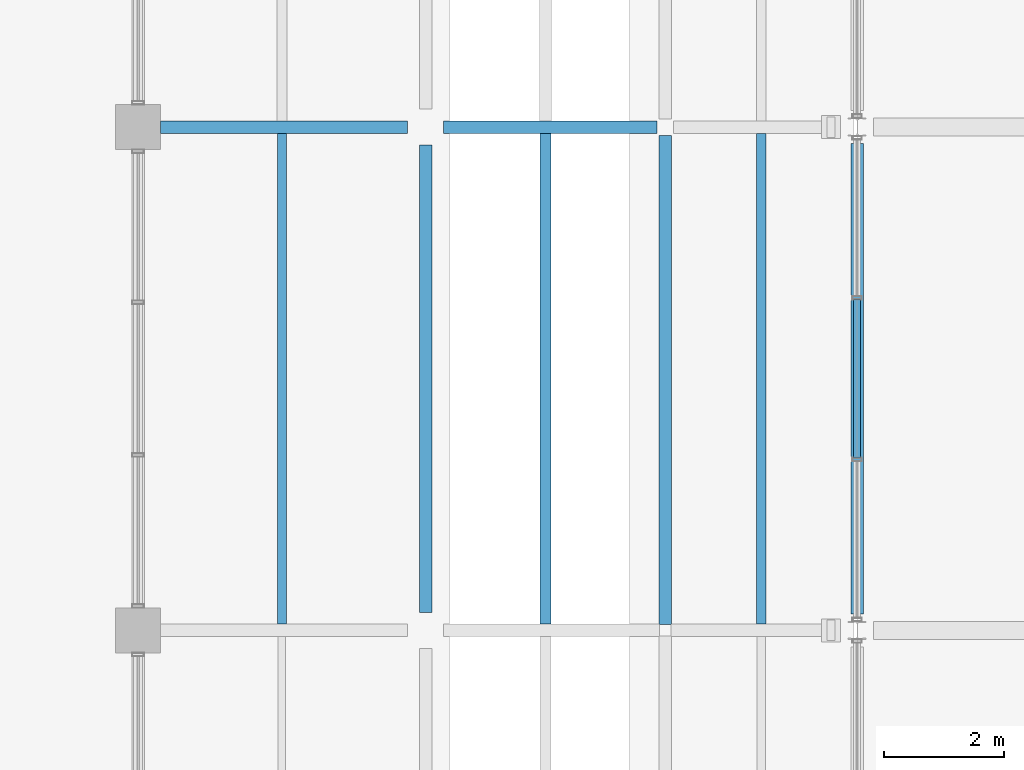
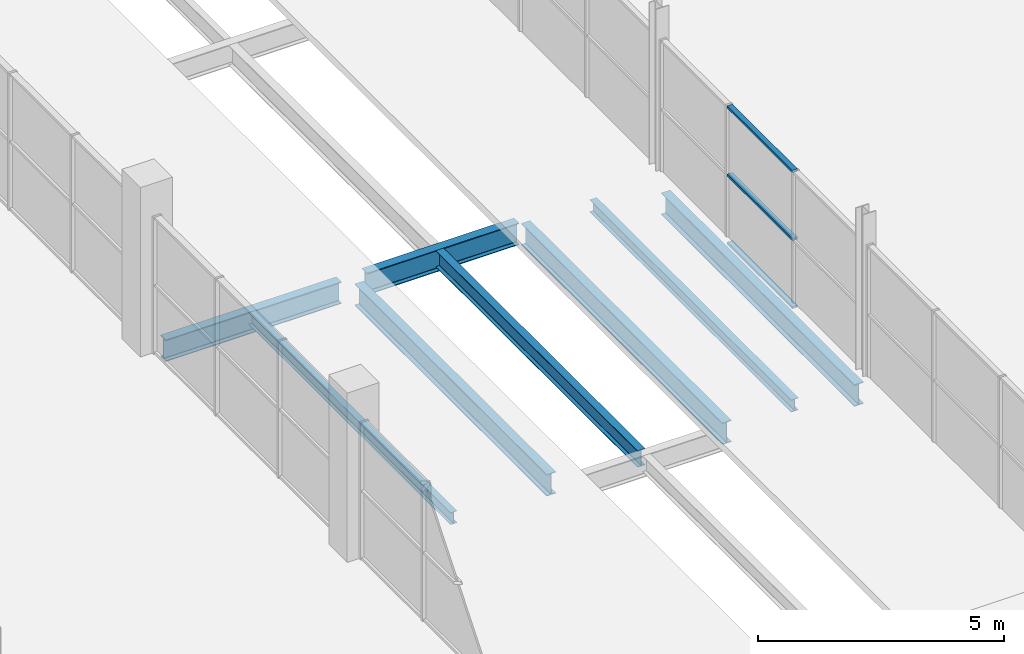
# One storey, part 110 of 161: 8 beams, 3 members, 1 element without a shape of its own.
"""IFC4 building model written with IfcOpenShell, lengths in metres."""

from ifc_helpers import new_model, si_unit, direction, frame, origin, origin_2d, place, context, subcontext, project, spatial, hollow_rectangle, i_section, extrude, material, material_profile, profile_set, type_object, element, aggregate, save


model = new_model("IFC4")

# Units and contexts
model_context = context("Model", 3, precision=1e-05, world=origin(), true_north=direction((0.0, 1.0)))
body_context = subcontext(model_context, "Body", "Model", "MODEL_VIEW")
ifc_project = project(units=[si_unit("LENGTHUNIT", "METRE"), si_unit("AREAUNIT", "SQUARE_METRE"), si_unit("VOLUMEUNIT", "CUBIC_METRE"), si_unit("PLANEANGLEUNIT", "RADIAN"), si_unit("MASSUNIT", "GRAM", prefix="KILO"), si_unit("THERMODYNAMICTEMPERATUREUNIT", "KELVIN")], contexts=[model_context])

# Site, building, storey
site_placement = place(None, origin())
site = spatial("IfcSite", under=ifc_project, at=site_placement, CompositionType="ELEMENT")
building_placement = place(site_placement, origin())
building = spatial("IfcBuilding", under=site, at=building_placement, Name="Nduvali Passage Aquatics Centre", CompositionType="ELEMENT")
storey_placement = place(building_placement, frame((0.0, 0.0, 4.800048828125)))
storey = spatial("IfcBuildingStorey", under=building, at=storey_placement, Name="L01", CompositionType="ELEMENT", Elevation=4.800048828125)

# Curtain wall, members
ifc_material_1 = material(Name="Aluminium EN AW-6063 T6", Category="aluminium")
curtain_wall_type = type_object("IfcCurtainWallType", Name="ENV-CW-FOYR", PredefinedType="NOTDEFINED", material=ifc_material_1)
curtain_wall_placement = place(storey_placement, origin())
curtain_wall = element("IfcCurtainWall", 1, at=curtain_wall_placement, inside=storey, type_object=curtain_wall_type, Name="L01 Passage Foyer Upper CW 076", PredefinedType="NOTDEFINED")
ifc_material_profile_1 = material_profile(ifc_material_1, hollow_rectangle(XDim=0.1201171875, YDim=0.06005859375, WallThickness=0.00390625, at=origin_2d()), Name="ALU TRANSOM 120x60x4")
ifc_profile_set_1 = profile_set([ifc_material_profile_1], Name="Aluminium EN AW-6063 T6")
member_type = type_object("IfcMemberType", Name="ENV-MEM-TRN60", PredefinedType="USERDEFINED", material=ifc_profile_set_1)
member_1_placement = place(storey_placement, frame((138.0, 70.080078125, 0.030029296875), z_axis=(0.0, 1.0, 0.0), x_axis=(-1.0, 0.0, 0.0)))
member_1 = element("IfcMember", 2, at=member_1_placement, type_object=member_type, Name="Passage Foyer Upper CW Transom B2-R0", ObjectType="TRANSOM", PredefinedType="USERDEFINED", context=body_context, shape_type="SweptSolid", body=[
    extrude(hollow_rectangle(XDim=0.1201171875, YDim=0.06005859375, WallThickness=0.00390625, at=origin_2d()), origin(), (0.0, 0.0, 1.0), 2.639892578125),
])
member_2_placement = place(storey_placement, frame((138.0, 70.080078125, 1.71826171875), z_axis=(0.0, 1.0, 0.0), x_axis=(-1.0, 0.0, 0.0)))
member_2 = element("IfcMember", 3, at=member_2_placement, type_object=member_type, Name="Passage Foyer Upper CW Transom B2-R1", ObjectType="TRANSOM", PredefinedType="USERDEFINED", context=body_context, shape_type="SweptSolid", body=[
    extrude(hollow_rectangle(XDim=0.1201171875, YDim=0.06005859375, WallThickness=0.00390625, at=origin_2d()), origin(), (0.0, 0.0, 1.0), 2.639892578125),
])
member_3_placement = place(storey_placement, frame((138.0, 70.080078125, 3.40625), z_axis=(0.0, 1.0, 0.0), x_axis=(-1.0, 0.0, 0.0)))
member_3 = element("IfcMember", 4, at=member_3_placement, type_object=member_type, Name="Passage Foyer Upper CW Transom B2-R2", ObjectType="TRANSOM", PredefinedType="USERDEFINED", context=body_context, shape_type="SweptSolid", body=[
    extrude(hollow_rectangle(XDim=0.1201171875, YDim=0.06005859375, WallThickness=0.00390625, at=origin_2d()), origin(), (0.0, 0.0, 1.0), 2.639892578125),
])
aggregate(curtain_wall, [member_1, member_2, member_3])

# Beams
ifc_material_2 = material(Name="Steel S355", Category="steel")
ifc_material_profile_2 = material_profile(ifc_material_2, i_section(OverallWidth=0.210693359375, OverallDepth=0.53955078125, WebThickness=0.01171875, FlangeThickness=0.018798828125, FilletRadius=0.0126953125, at=origin_2d()), Name="UKB 533x210x109")
ifc_profile_set_2 = profile_set([ifc_material_profile_2], Name="Steel S355")
beam_type_1 = type_object("IfcBeamType", Name="STR-BM-UKB533", PredefinedType="BEAM", material=ifc_profile_set_2)
beam_1_placement = place(storey_placement, frame((126.375, 75.60009765625, -0.273681640625), z_axis=(1.0, 0.0, 0.0), x_axis=(0.0, 1.0, 0.0)))
element("IfcBeam", 5, at=beam_1_placement, inside=storey, type_object=beam_type_1, Name="L01 Primary X-Girder B6-0502", PredefinedType="BEAM", context=body_context, shape_type="SweptSolid", body=[
    extrude(i_section(OverallWidth=0.210693359375, OverallDepth=0.53955078125, WebThickness=0.01171875, FlangeThickness=0.018798828125, FilletRadius=0.0126953125, at=origin_2d()), origin(), (0.0, 0.0, 1.0), 4.125),
])
beam_2_placement = place(storey_placement, frame((131.10009765625, 75.60009765625, -0.273681640625), z_axis=(1.0, 0.0, 0.0), x_axis=(0.0, 1.0, 0.0)))
element("IfcBeam", 6, at=beam_2_placement, inside=storey, type_object=beam_type_1, Name="L01 Primary X-Girder B6-0503", PredefinedType="BEAM", context=body_context, shape_type="SweptSolid", body=[
    extrude(i_section(OverallWidth=0.210693359375, OverallDepth=0.53955078125, WebThickness=0.01171875, FlangeThickness=0.018798828125, FilletRadius=0.0126953125, at=origin_2d()), origin(), (0.0, 0.0, 1.0), 3.5634765625),
])
beam_3_placement = place(storey_placement, frame((130.800048828125, 67.5, -0.273681640625), z_axis=(0.0, 1.0, 0.0), x_axis=(-1.0, 0.0, 0.0)))
element("IfcBeam", 7, at=beam_3_placement, inside=storey, type_object=beam_type_1, Name="L01 Primary Y-Girder B6-0644", PredefinedType="BEAM", context=body_context, shape_type="SweptSolid", body=[
    extrude(i_section(OverallWidth=0.210693359375, OverallDepth=0.53955078125, WebThickness=0.01171875, FlangeThickness=0.018798828125, FilletRadius=0.0126953125, at=origin_2d()), origin(), (0.0, 0.0, 1.0), 7.800048828125),
])
beam_4_placement = place(storey_placement, frame((134.800048828125, 67.296875, -0.273681640625), z_axis=(0.0, 1.0, 0.0), x_axis=(-1.0, 0.0, 0.0)))
element("IfcBeam", 8, at=beam_4_placement, inside=storey, type_object=beam_type_1, Name="L01 Primary Y-Girder B6-0655", PredefinedType="BEAM", context=body_context, shape_type="SweptSolid", body=[
    extrude(i_section(OverallWidth=0.210693359375, OverallDepth=0.53955078125, WebThickness=0.01171875, FlangeThickness=0.018798828125, FilletRadius=0.0126953125, at=origin_2d()), origin(), (0.0, 0.0, 1.0), 8.16650390625),
])
ifc_material_profile_3 = material_profile(ifc_material_2, i_section(OverallWidth=0.210693359375, OverallDepth=0.53955078125, WebThickness=0.01171875, FlangeThickness=0.018798828125, FilletRadius=0.0126953125, at=origin_2d()), Name="UKB 533x210x109")
ifc_profile_set_3 = profile_set([ifc_material_profile_3], Name="Steel S355")
beam_type_2 = type_object("IfcBeamType", Name="STR-BM-UKB533-EXT", PredefinedType="BEAM", material=ifc_profile_set_3)
beam_5_placement = place(storey_placement, frame((138.0, 67.47509765625, -0.553955078125), z_axis=(0.0, 1.0, 0.0), x_axis=(-1.0, 0.0, 0.0)))
element("IfcBeam", 9, at=beam_5_placement, inside=storey, type_object=beam_type_2, Name="L01 Primary Y-Girder B6E-0663", PredefinedType="BEAM", context=body_context, shape_type="SweptSolid", body=[
    extrude(i_section(OverallWidth=0.210693359375, OverallDepth=0.53955078125, WebThickness=0.01171875, FlangeThickness=0.018798828125, FilletRadius=0.0126953125, at=origin_2d()), origin(), (0.0, 0.0, 1.0), 7.849853515625),
])
ifc_material_profile_4 = material_profile(ifc_material_2, i_section(OverallWidth=0.14990234375, OverallDepth=0.300048828125, WebThickness=0.007080078125, FlangeThickness=0.0107421875, FilletRadius=0.014892578125, at=origin_2d()), Name="IPE 300")
ifc_profile_set_4 = profile_set([ifc_material_profile_4], Name="Steel S355")
beam_type_3 = type_object("IfcBeamType", Name="STR-JST-IPE300", PredefinedType="JOIST", material=ifc_profile_set_4)
beam_6_placement = place(storey_placement, frame((128.39990234375, 67.305419921875, -0.154052734375), z_axis=(0.0, 1.0, 0.0), x_axis=(-1.0, 0.0, 0.0)))
element("IfcBeam", 10, at=beam_6_placement, inside=storey, type_object=beam_type_3, Name="L01 Secondary Joist J7-0779", PredefinedType="JOIST", context=body_context, shape_type="SweptSolid", body=[
    extrude(i_section(OverallWidth=0.14990234375, OverallDepth=0.300048828125, WebThickness=0.007080078125, FlangeThickness=0.0107421875, FilletRadius=0.014892578125, at=origin_2d()), origin(), (0.0, 0.0, 1.0), 8.189208984375),
])
ifc_material_profile_5 = material_profile(ifc_material_2, i_section(OverallWidth=0.165771484375, OverallDepth=0.306640625, WebThickness=0.006591796875, FlangeThickness=0.01171875, FilletRadius=0.0087890625, at=origin_2d()), Name="UKB 305x165x46")
ifc_profile_set_5 = profile_set([ifc_material_profile_5], Name="Steel S355")
beam_type_4 = type_object("IfcBeamType", Name="STR-JST-UKB305", PredefinedType="JOIST", material=ifc_profile_set_5)
beam_7_placement = place(storey_placement, frame((136.39990234375, 67.305419921875, -0.157470703125), z_axis=(0.0, 1.0, 0.0), x_axis=(-1.0, 0.0, 0.0)))
element("IfcBeam", 11, at=beam_7_placement, inside=storey, type_object=beam_type_4, Name="L01 Secondary Joist J3-0781", PredefinedType="JOIST", context=body_context, shape_type="SweptSolid", body=[
    extrude(i_section(OverallWidth=0.165771484375, OverallDepth=0.306640625, WebThickness=0.006591796875, FlangeThickness=0.01171875, FilletRadius=0.0087890625, at=origin_2d()), origin(), (0.0, 0.0, 1.0), 8.189208984375),
])
ifc_material_profile_6 = material_profile(ifc_material_2, i_section(OverallWidth=0.1787109375, OverallDepth=0.409423828125, WebThickness=0.0087890625, FlangeThickness=0.014404296875, FilletRadius=0.01025390625, at=origin_2d()), Name="UKB 406x178x67")
ifc_profile_set_6 = profile_set([ifc_material_profile_6], Name="Steel S355")
beam_type_5 = type_object("IfcBeamType", Name="STR-JST-UKB406", PredefinedType="JOIST", material=ifc_profile_set_6)
beam_8_placement = place(storey_placement, frame((132.800048828125, 67.305419921875, -0.208740234375), z_axis=(0.0, 1.0, 0.0), x_axis=(-1.0, 0.0, 0.0)))
element("IfcBeam", 12, at=beam_8_placement, inside=storey, type_object=beam_type_5, Name="L01 Secondary Joist J1-0780", PredefinedType="JOIST", context=body_context, shape_type="SweptSolid", body=[
    extrude(i_section(OverallWidth=0.1787109375, OverallDepth=0.409423828125, WebThickness=0.0087890625, FlangeThickness=0.014404296875, FilletRadius=0.01025390625, at=origin_2d()), origin(), (0.0, 0.0, 1.0), 8.189208984375),
])

save(model, "model.ifc")
